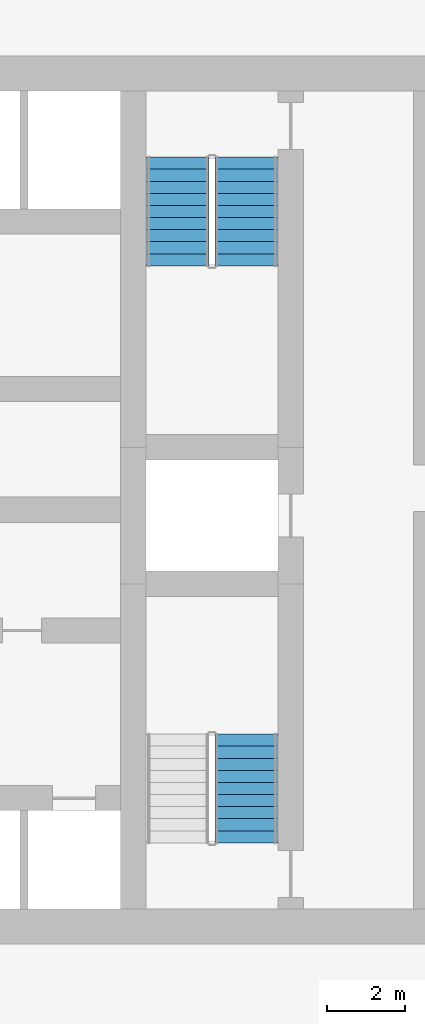
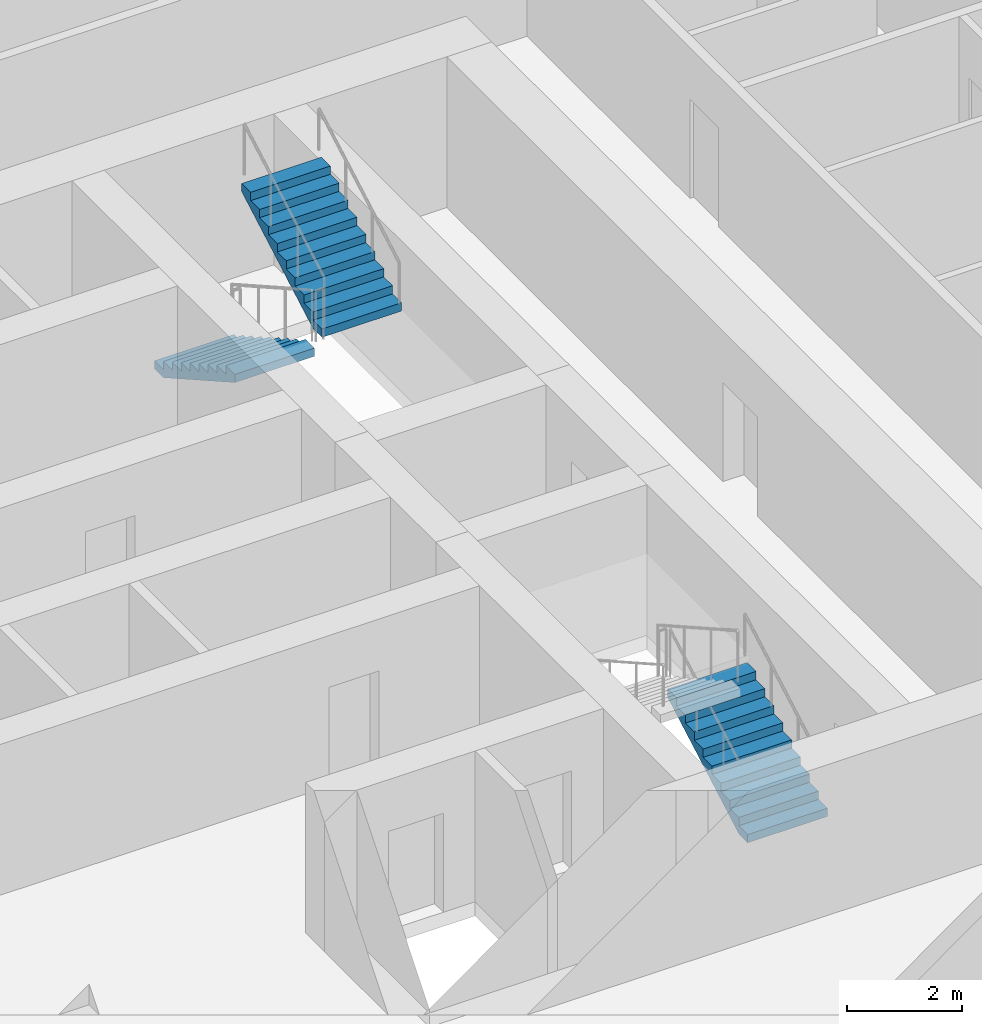
# One storey, part 16 of 22: 3 stair flights, 2 elements without a shape of their own.
"""IFC4 building model written with IfcOpenShell, lengths in metres."""

from ifc_helpers import new_model, si_unit, direction, frame, origin, place, context, subcontext, project, spatial, polyline, outline, extrude, material, type_object, element, aggregate, save


model = new_model("IFC4")

# Units and contexts
model_context = context("Model", 3, precision=1e-05, world=origin(), true_north=direction((0.0, 1.0)))
body_context = subcontext(model_context, "Body", "Model", "MODEL_VIEW")
ifc_project = project(units=[si_unit("LENGTHUNIT", "METRE"), si_unit("AREAUNIT", "SQUARE_METRE"), si_unit("VOLUMEUNIT", "CUBIC_METRE"), si_unit("PLANEANGLEUNIT", "RADIAN"), si_unit("MASSUNIT", "GRAM", prefix="KILO")], contexts=[model_context])

# Site, building, storey
site_placement = place(None, origin())
site = spatial("IfcSite", under=ifc_project, at=site_placement, CompositionType="ELEMENT")
building_placement = place(site_placement, origin())
building = spatial("IfcBuilding", under=site, at=building_placement, Name="Madar Terraces", CompositionType="ELEMENT")
storey_placement = place(building_placement, frame((0.0, 0.0, 73.300048828125)))
storey = spatial("IfcBuildingStorey", under=building, at=storey_placement, Name="L18", CompositionType="ELEMENT", Elevation=73.300048828125)

# Stair, stair flights
ifc_material_1 = material(Name="Concrete C50/60", Category="concrete")
stair_type_1 = type_object("IfcStairType", Name="Stair ST2 protected exit", PredefinedType="HALF_TURN_STAIR", material=ifc_material_1)
stair_1_placement = place(storey_placement, origin())
stair_1 = element("IfcStair", 1, at=stair_1_placement, inside=storey, type_object=stair_type_1, Name="L18 Protected Exit Stair ST2", PredefinedType="HALF_TURN_STAIR")
ifc_material_2 = material(Name="Concrete C50/60", Category="concrete")
stair_flight_type_1 = type_object("IfcStairFlightType", Name="Stair flight ST2-F4, 1600 wide, 10 risers", PredefinedType="STRAIGHT", material=ifc_material_2)
stair_flight_1_placement = place(storey_placement, frame((40.449951171875, 35.199951171875, 0.0), z_axis=(0.0, 0.0, 1.0), x_axis=(0.0, -1.0, 0.0)))
stair_flight_1 = element("IfcStairFlight", 2, at=stair_flight_1_placement, type_object=stair_flight_type_1, Name="ST2 flight 1", NumberOfRisers=10, NumberOfTreads=9, PredefinedType="STRAIGHT", RiserHeight=0.175, TreadLength=0.31, context=body_context, shape_type="SweptSolid", body=[
    extrude(outline(polyline([(0.0, 0.0), (0.0, 0.175048828125), (0.31005859375, 0.175048828125), (0.31005859375, 0.35009765625), (0.6201171875, 0.35009765625), (0.6201171875, 0.52490234375), (0.929931640625, 0.52490234375), (0.929931640625, 0.699951171875), (1.239990234375, 0.699951171875), (1.239990234375, 0.875), (1.550048828125, 0.875), (1.550048828125, 1.050048828125), (1.860107421875, 1.050048828125), (1.860107421875, 1.22509765625), (2.169921875, 1.22509765625), (2.169921875, 1.39990234375), (2.47998046875, 1.39990234375), (2.47998046875, 1.574951171875), (2.7900390625, 1.574951171875), (2.7900390625, 1.75), (2.7900390625, 1.40283203125), (0.304931640625, 0.0), (0.0, 0.0)])), frame((0.0, 0.800048828125, 0.0), z_axis=(0.0, -1.0, 0.0), x_axis=(1.0, 0.0, 0.0)), (0.0, 0.0, 1.0), 1.60009765625),
])
stair_flight_2_placement = place(storey_placement, frame((42.199951171875, 32.409912109375, 1.75), z_axis=(0.0, 0.0, 1.0), x_axis=(0.0, 1.0, 0.0)))
stair_flight_2 = element("IfcStairFlight", 3, at=stair_flight_2_placement, type_object=stair_flight_type_1, Name="ST2 flight 2", NumberOfRisers=10, NumberOfTreads=9, PredefinedType="STRAIGHT", RiserHeight=0.175, TreadLength=0.31, context=body_context, shape_type="SweptSolid", body=[
    extrude(outline(polyline([(0.0, 0.0), (0.0, 0.175048828125), (0.31005859375, 0.175048828125), (0.31005859375, 0.35009765625), (0.6201171875, 0.35009765625), (0.6201171875, 0.52490234375), (0.929931640625, 0.52490234375), (0.929931640625, 0.699951171875), (1.239990234375, 0.699951171875), (1.239990234375, 0.875), (1.550048828125, 0.875), (1.550048828125, 1.050048828125), (1.860107421875, 1.050048828125), (1.860107421875, 1.22509765625), (2.169921875, 1.22509765625), (2.169921875, 1.39990234375), (2.47998046875, 1.39990234375), (2.47998046875, 1.574951171875), (2.7900390625, 1.574951171875), (2.7900390625, 1.75), (2.7900390625, 1.40283203125), (0.304931640625, 0.0), (0.0, 0.0)])), frame((0.0, 0.800048828125, 0.0), z_axis=(0.0, -1.0, 0.0), x_axis=(1.0, 0.0, 0.0)), (0.0, 0.0, 1.0), 1.60009765625),
])
aggregate(stair_1, [stair_flight_1, stair_flight_2])

# Stair, stair flight
ifc_material_3 = material(Name="Concrete C50/60", Category="concrete")
stair_type_2 = type_object("IfcStairType", Name="Stair ST3 protected exit", PredefinedType="HALF_TURN_STAIR", material=ifc_material_3)
stair_2_placement = place(storey_placement, origin())
stair_2 = element("IfcStair", 4, at=stair_2_placement, inside=storey, type_object=stair_type_2, Name="L18 Protected Exit Stair ST3", PredefinedType="HALF_TURN_STAIR")
ifc_material_4 = material(Name="Concrete C50/60", Category="concrete")
stair_flight_type_2 = type_object("IfcStairFlightType", Name="Stair flight ST3-F4, 1600 wide, 10 risers", PredefinedType="STRAIGHT", material=ifc_material_4)
stair_flight_3_placement = place(storey_placement, frame((42.199951171875, 17.60009765625, 0.0), z_axis=(0.0, 0.0, 1.0), x_axis=(0.0, 1.0, 0.0)))
stair_flight_3 = element("IfcStairFlight", 5, at=stair_flight_3_placement, type_object=stair_flight_type_2, Name="ST3 flight 1", NumberOfRisers=10, NumberOfTreads=9, PredefinedType="STRAIGHT", RiserHeight=0.175, TreadLength=0.31, context=body_context, shape_type="SweptSolid", body=[
    extrude(outline(polyline([(0.0, 0.0), (0.0, 0.175048828125), (0.31005859375, 0.175048828125), (0.31005859375, 0.35009765625), (0.6201171875, 0.35009765625), (0.6201171875, 0.52490234375), (0.929931640625, 0.52490234375), (0.929931640625, 0.699951171875), (1.239990234375, 0.699951171875), (1.239990234375, 0.875), (1.550048828125, 0.875), (1.550048828125, 1.050048828125), (1.860107421875, 1.050048828125), (1.860107421875, 1.22509765625), (2.169921875, 1.22509765625), (2.169921875, 1.39990234375), (2.47998046875, 1.39990234375), (2.47998046875, 1.574951171875), (2.7900390625, 1.574951171875), (2.7900390625, 1.75), (2.7900390625, 1.40283203125), (0.304931640625, 0.0), (0.0, 0.0)])), frame((0.0, 0.800048828125, 0.0), z_axis=(0.0, -1.0, 0.0), x_axis=(1.0, 0.0, 0.0)), (0.0, 0.0, 1.0), 1.60009765625),
])
aggregate(stair_2, [stair_flight_3])

save(model, "model.ifc")
